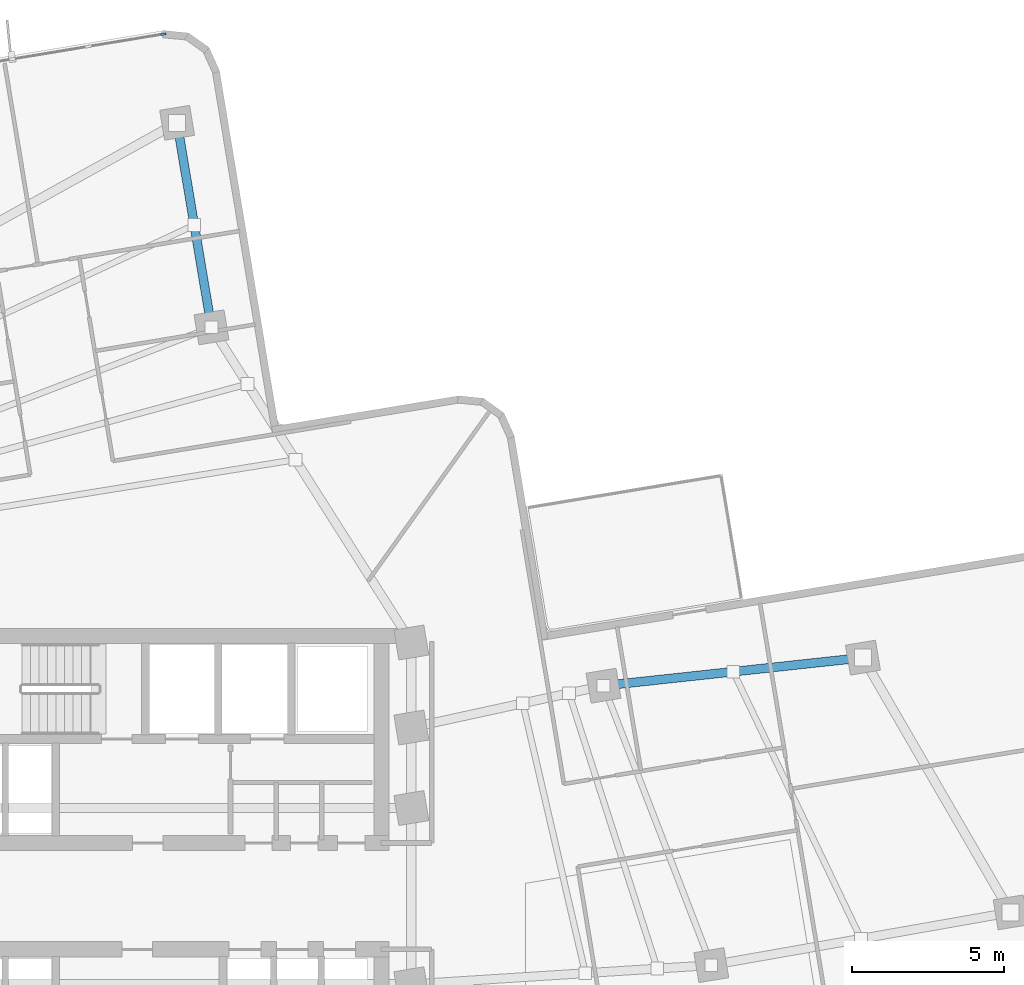
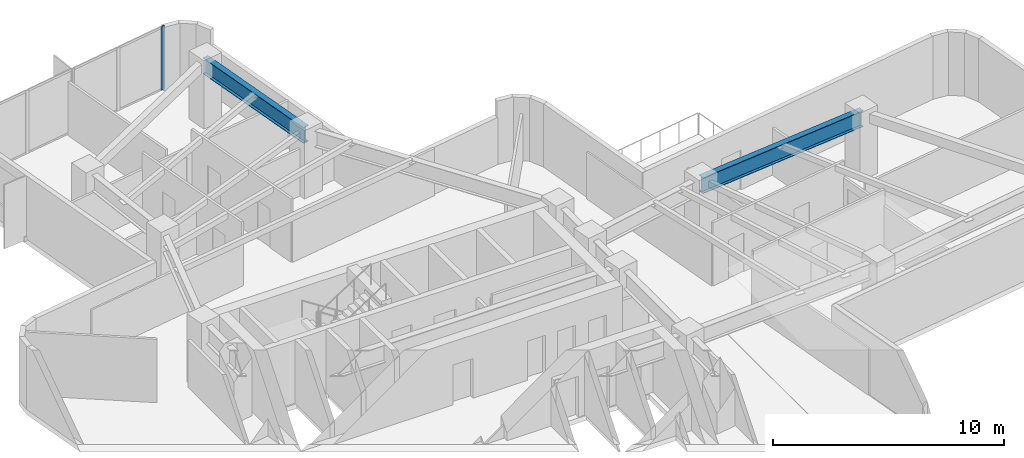
# One storey, part 5 of 13: 2 beams, 1 member, 1 element without a shape of its own.
"""IFC4 building model written with IfcOpenShell, lengths in metres."""

from ifc_helpers import new_model, si_unit, direction, frame, origin, origin_2d, place, context, subcontext, project, spatial, rectangle, i_section, extrude, material, layer, layer_set, material_profile, profile_set, type_object, element, aggregate, save


model = new_model("IFC4")

# Units and contexts
model_context = context("Model", 3, precision=1e-05, world=origin(), true_north=direction((0.0, 1.0)))
body_context = subcontext(model_context, "Body", "Model", "MODEL_VIEW")
ifc_project = project(units=[si_unit("LENGTHUNIT", "METRE"), si_unit("AREAUNIT", "SQUARE_METRE"), si_unit("VOLUMEUNIT", "CUBIC_METRE"), si_unit("PLANEANGLEUNIT", "RADIAN"), si_unit("MASSUNIT", "GRAM", prefix="KILO")], contexts=[model_context])

# Site, building, storey
site_placement = place(None, origin())
site = spatial("IfcSite", under=ifc_project, at=site_placement, CompositionType="ELEMENT")
building_placement = place(site_placement, origin())
building = spatial("IfcBuilding", under=site, at=building_placement, Name="Solmarez Civic Tower", CompositionType="ELEMENT")
storey_placement = place(building_placement, frame((0.0, 0.0, 96.47998046875)))
storey = spatial("IfcBuildingStorey", under=building, at=storey_placement, Name="L25", CompositionType="ELEMENT", Elevation=96.47998046875)

# Beams
ifc_material_1 = material(Name="Steel S355", Category="steel")
ifc_material_profile_1 = material_profile(ifc_material_1, i_section(OverallWidth=0.2919921875, OverallDepth=0.845947265625, WebThickness=0.015380859375, FlangeThickness=0.0244140625, at=origin_2d()), Name="W33X141")
ifc_profile_set_1 = profile_set([ifc_material_profile_1], Name="Steel S355")
beam_type = type_object("IfcBeamType", Name="BM-PR-W33X141", PredefinedType="BEAM", material=ifc_profile_set_1)
beam_1_placement = place(storey_placement, frame((15.175048828125, 6.927001953125, 2.9169921875), z_axis=(0.994196782435, 0.107576753045, 0.0), x_axis=(-0.107576753045, 0.994196782435, 0.0)))
element("IfcBeam", 1, at=beam_1_placement, inside=storey, type_object=beam_type, Name="L25 Primary Floor Beam BM-L25-EA-R2B", PredefinedType="BEAM", context=body_context, shape_type="SweptSolid", body=[
    extrude(i_section(OverallWidth=0.2919921875, OverallDepth=0.845947265625, WebThickness=0.015380859375, FlangeThickness=0.0244140625, at=origin_2d()), origin(), (0.0, 0.0, 1.0), 8.58984375),
])
beam_2_placement = place(storey_placement, frame((2.27099609375, 18.72412109375, 2.9169921875), z_axis=(-0.165813708215, 0.986157094062, 0.0), x_axis=(-0.986157094062, -0.165813708215, 0.0)))
element("IfcBeam", 2, at=beam_2_placement, inside=storey, type_object=beam_type, Name="L25 Primary Floor Beam BM-L25-NA-R2A", PredefinedType="BEAM", context=body_context, shape_type="SweptSolid", body=[
    extrude(i_section(OverallWidth=0.2919921875, OverallDepth=0.845947265625, WebThickness=0.015380859375, FlangeThickness=0.0244140625, at=origin_2d()), origin(), (0.0, 0.0, 1.0), 6.827392578125),
])

# Curtain wall, member
ifc_material_2 = material(Name="Bronze Anodised Aluminium EN AW-6063 T6", Category="aluminium")
ifc_layer = layer(ifc_material_2, 0.155029296875)
ifc_layer_set = layer_set([ifc_layer], Name="Bronze Anodised Aluminium EN AW-6063 T6")
curtain_wall_type = type_object("IfcCurtainWallType", Name="CW-SYS-6", PredefinedType="NOTDEFINED", material=ifc_layer_set)
curtain_wall_placement = place(storey_placement, origin())
curtain_wall = element("IfcCurtainWall", 3, at=curtain_wall_placement, inside=storey, type_object=curtain_wall_type, Name="L25 Stick-Built Curtain Wall 2", PredefinedType="NOTDEFINED")
ifc_material_profile_2 = material_profile(ifc_material_2, rectangle(XDim=0.070068359375, YDim=0.179931640625, at=origin_2d()), Name="CWM-70X180")
ifc_profile_set_2 = profile_set([ifc_material_profile_2], Name="Bronze Anodised Aluminium EN AW-6063 T6")
member_type = type_object("IfcMemberType", Name="CWM-TYPE-2", PredefinedType="MULLION", material=ifc_profile_set_2)
member_placement = place(storey_placement, frame((0.689453125, 28.373291015625, 0.0), z_axis=(0.0, 0.0, 1.0), x_axis=(-0.163313377789, 0.986574244867, 0.0)))
member = element("IfcMember", 4, at=member_placement, type_object=member_type, Name="CWS6 mullion 5", PredefinedType="MULLION", context=body_context, shape_type="SweptSolid", body=[
    extrude(rectangle(XDim=0.070068359375, YDim=0.179931640625, at=origin_2d()), origin(), (0.0, 0.0, 1.0), 3.340087890625),
])
aggregate(curtain_wall, [member])

save(model, "model.ifc")
